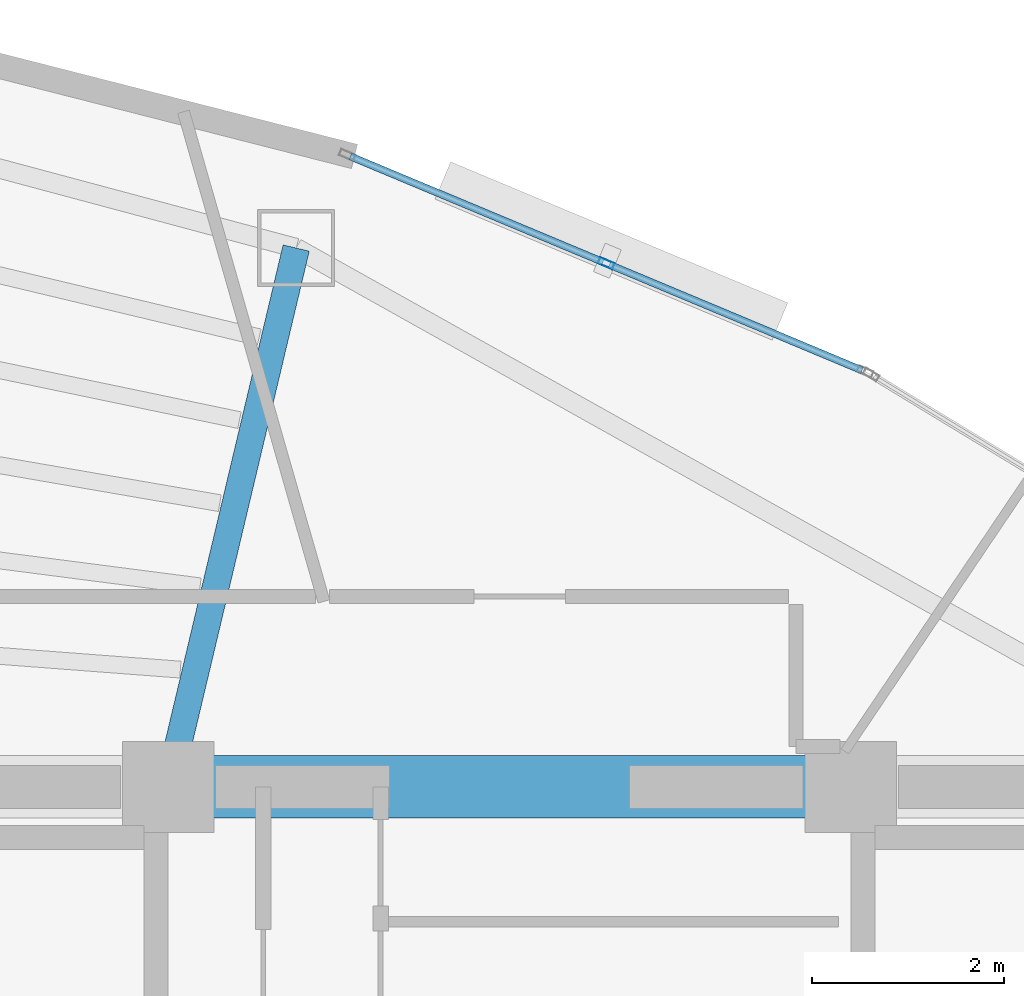
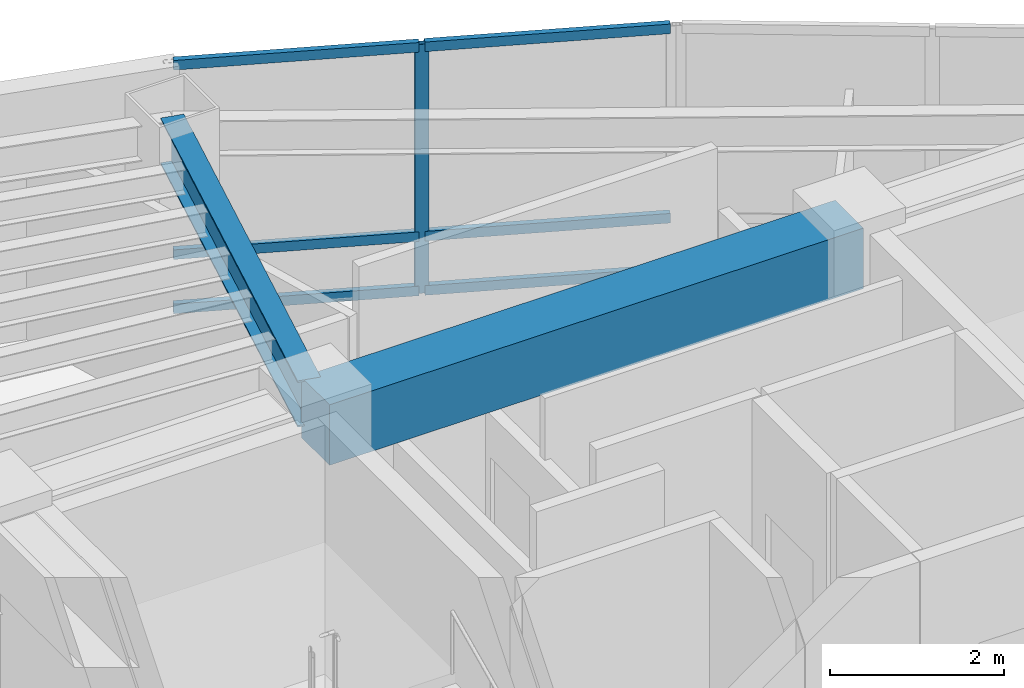
# One storey, part 8 of 15: 7 members, 2 beams, 1 element without a shape of its own.
"""IFC4 building model written with IfcOpenShell, lengths in metres."""

from ifc_helpers import new_model, si_unit, direction, frame, origin, origin_2d, place, context, subcontext, project, spatial, rectangle, hollow_rectangle, i_section, extrude, material, layer, layer_set, material_profile, profile_set, type_object, element, aggregate, save


model = new_model("IFC4")

# Units and contexts
model_context = context("Model", 3, precision=1e-05, world=origin(), true_north=direction((0.0, 1.0)))
body_context = subcontext(model_context, "Body", "Model", "MODEL_VIEW")
ifc_project = project(units=[si_unit("LENGTHUNIT", "METRE"), si_unit("AREAUNIT", "SQUARE_METRE"), si_unit("VOLUMEUNIT", "CUBIC_METRE"), si_unit("PLANEANGLEUNIT", "RADIAN"), si_unit("MASSUNIT", "GRAM", prefix="KILO")], contexts=[model_context])

# Site, building, storey
site_placement = place(None, origin())
site = spatial("IfcSite", under=ifc_project, at=site_placement, CompositionType="ELEMENT")
building_placement = place(site_placement, origin())
building = spatial("IfcBuilding", under=site, at=building_placement, Name="Menara Vayukalpa", CompositionType="ELEMENT")
storey_placement = place(building_placement, frame((0.0, 0.0, 288.06005859375)))
storey = spatial("IfcBuildingStorey", under=building, at=storey_placement, Name="L73", CompositionType="ELEMENT", Elevation=288.06005859375)

# Beams
ifc_material_1 = material(Name="Concrete C60/75", Category="concrete")
ifc_material_profile_1 = material_profile(ifc_material_1, rectangle(XDim=0.64990234375, YDim=0.85009765625, at=origin_2d()), Name="RC 650x850")
ifc_profile_set_1 = profile_set([ifc_material_profile_1], Name="Concrete C60/75")
beam_type_1 = type_object("IfcBeamType", Name="BM-CB1", PredefinedType="BEAM", material=ifc_profile_set_1)
beam_1_placement = place(storey_placement, frame((22.050048828125, 26.800048828125, 3.074951171875), z_axis=(1.0, 0.0, 0.0), x_axis=(0.0, 1.0, 0.0)))
element("IfcBeam", 1, at=beam_1_placement, inside=storey, type_object=beam_type_1, Name="L73 Core Tie Beam CBR5", PredefinedType="BEAM", context=body_context, shape_type="SweptSolid", body=[
    extrude(rectangle(XDim=0.64990234375, YDim=0.85009765625, at=origin_2d()), origin(), (0.0, 0.0, 1.0), 7.099853515625),
])
ifc_material_2 = material(Name="Steel S355", Category="steel")
ifc_material_profile_2 = material_profile(ifc_material_2, i_section(OverallWidth=0.280029296875, OverallDepth=0.64990234375, WebThickness=0.012939453125, FlangeThickness=0.02197265625, at=origin_2d()), Name="WF 650x280x13x22")
ifc_profile_set_2 = profile_set([ifc_material_profile_2], Name="Steel S355")
beam_type_2 = type_object("IfcBeamType", Name="BM-PG6", PredefinedType="BEAM", material=ifc_profile_set_2)
beam_2_placement = place(storey_placement, frame((22.10791015625, 27.043212890625, 3.175048828125), z_axis=(0.231167310854, 0.972914011818, 0.0), x_axis=(-0.972914011818, 0.231167310854, 0.0)))
element("IfcBeam", 2, at=beam_2_placement, inside=storey, type_object=beam_type_2, Name="L73 Primary Radial Girder RG03", PredefinedType="BEAM", context=body_context, shape_type="SweptSolid", body=[
    extrude(i_section(OverallWidth=0.280029296875, OverallDepth=0.64990234375, WebThickness=0.012939453125, FlangeThickness=0.02197265625, at=origin_2d()), origin(), (0.0, 0.0, 1.0), 5.5107421875),
])

# Curtain wall, members
ifc_material_3 = material(Name="Anodised Terracotta Aluminium Alloy 6063-T6", Category="masonry")
ifc_layer = layer(ifc_material_3, 0.1650390625)
ifc_layer_set = layer_set([ifc_layer], Name="Anodised Terracotta Aluminium Alloy 6063-T6")
curtain_wall_type = type_object("IfcCurtainWallType", Name="CW-CW6", PredefinedType="USERDEFINED", material=ifc_layer_set)
curtain_wall_placement = place(storey_placement, origin())
curtain_wall = element("IfcCurtainWall", 3, at=curtain_wall_placement, inside=storey, type_object=curtain_wall_type, Name="L73 Observation and Executive Curtain Wall CW6 05", ObjectType="UNITISED", PredefinedType="USERDEFINED")
ifc_material_4 = material(Name="Anodised Terracotta Aluminium Alloy 6063-T6", Category="masonry")
ifc_material_profile_3 = material_profile(ifc_material_4, hollow_rectangle(XDim=0.070068359375, YDim=0.1650390625, WallThickness=0.00390625, at=origin_2d()), Name="ALU 70x165x4")
ifc_profile_set_3 = profile_set([ifc_material_profile_3], Name="Anodised Terracotta Aluminium Alloy 6063-T6")
member_type_1 = type_object("IfcMemberType", Name="CWM-CW6", PredefinedType="MULLION", material=ifc_profile_set_3)
member_1_placement = place(storey_placement, frame((26.60595703125, 32.2451171875, 0.0), z_axis=(0.0, 0.0, 1.0), x_axis=(-0.385899911703, -0.922540653927, 0.0)))
member_1 = element("IfcMember", 4, at=member_1_placement, type_object=member_type_1, Name="CW6 mullion 2", PredefinedType="MULLION", context=body_context, shape_type="SweptSolid", body=[
    extrude(hollow_rectangle(XDim=0.070068359375, YDim=0.1650390625, WallThickness=0.00390625, at=origin_2d()), origin(), (0.0, 0.0, 1.0), 3.5),
])
ifc_material_5 = material(Name="Anodised Terracotta Aluminium Alloy 6063-T6", Category="masonry")
ifc_material_profile_4 = material_profile(ifc_material_5, hollow_rectangle(XDim=0.074951171875, YDim=0.135009765625, WallThickness=0.00390625, at=origin_2d()), Name="ALU 75x135x4")
ifc_profile_set_4 = profile_set([ifc_material_profile_4], Name="Anodised Terracotta Aluminium Alloy 6063-T6")
member_type_2 = type_object("IfcMemberType", Name="CWT-CW6", PredefinedType="USERDEFINED", material=ifc_profile_set_4)
member_2_placement = place(storey_placement, frame((29.266357421875, 31.13232421875, 0.037353515625), z_axis=(-0.922528286758, 0.385929475592, 0.0), x_axis=(-0.385929475592, -0.922528286758, 0.0)))
member_2 = element("IfcMember", 5, at=member_2_placement, type_object=member_type_2, Name="CW6 transom 1.1", ObjectType="TRANSOM", PredefinedType="USERDEFINED", context=body_context, shape_type="SweptSolid", body=[
    extrude(hollow_rectangle(XDim=0.074951171875, YDim=0.135009765625, WallThickness=0.00390625, at=origin_2d()), origin(), (0.0, 0.0, 1.0), 2.8486328125),
])
member_3_placement = place(storey_placement, frame((29.266357421875, 31.13232421875, 0.800048828125), z_axis=(-0.922528286758, 0.385929475592, 0.0), x_axis=(-0.385929475592, -0.922528286758, 0.0)))
member_3 = element("IfcMember", 6, at=member_3_placement, type_object=member_type_2, Name="CW6 transom 1.2", ObjectType="TRANSOM", PredefinedType="USERDEFINED", context=body_context, shape_type="SweptSolid", body=[
    extrude(hollow_rectangle(XDim=0.074951171875, YDim=0.135009765625, WallThickness=0.00390625, at=origin_2d()), origin(), (0.0, 0.0, 1.0), 2.8486328125),
])
member_4_placement = place(storey_placement, frame((29.266357421875, 31.13232421875, 3.46240234375), z_axis=(-0.922528286758, 0.385929475592, 0.0), x_axis=(-0.385929475592, -0.922528286758, 0.0)))
member_4 = element("IfcMember", 7, at=member_4_placement, type_object=member_type_2, Name="CW6 transom 1.3", ObjectType="TRANSOM", PredefinedType="USERDEFINED", context=body_context, shape_type="SweptSolid", body=[
    extrude(hollow_rectangle(XDim=0.074951171875, YDim=0.135009765625, WallThickness=0.00390625, at=origin_2d()), origin(), (0.0, 0.0, 1.0), 2.8486328125),
])
member_5_placement = place(storey_placement, frame((26.57373046875, 32.258544921875, 0.037353515625), z_axis=(-0.922541050276, 0.38589896418, 0.0), x_axis=(-0.38589896418, -0.922541050276, 0.0)))
member_5 = element("IfcMember", 8, at=member_5_placement, type_object=member_type_2, Name="CW6 transom 2.1", ObjectType="TRANSOM", PredefinedType="USERDEFINED", context=body_context, shape_type="SweptSolid", body=[
    extrude(hollow_rectangle(XDim=0.074951171875, YDim=0.135009765625, WallThickness=0.00390625, at=origin_2d()), origin(), (0.0, 0.0, 1.0), 2.848876953125),
])
member_6_placement = place(storey_placement, frame((26.57373046875, 32.258544921875, 0.800048828125), z_axis=(-0.922541050276, 0.38589896418, 0.0), x_axis=(-0.38589896418, -0.922541050276, 0.0)))
member_6 = element("IfcMember", 9, at=member_6_placement, type_object=member_type_2, Name="CW6 transom 2.2", ObjectType="TRANSOM", PredefinedType="USERDEFINED", context=body_context, shape_type="SweptSolid", body=[
    extrude(hollow_rectangle(XDim=0.074951171875, YDim=0.135009765625, WallThickness=0.00390625, at=origin_2d()), origin(), (0.0, 0.0, 1.0), 2.848876953125),
])
member_7_placement = place(storey_placement, frame((26.57373046875, 32.258544921875, 3.46240234375), z_axis=(-0.922541050276, 0.38589896418, 0.0), x_axis=(-0.38589896418, -0.922541050276, 0.0)))
member_7 = element("IfcMember", 10, at=member_7_placement, type_object=member_type_2, Name="CW6 transom 2.3", ObjectType="TRANSOM", PredefinedType="USERDEFINED", context=body_context, shape_type="SweptSolid", body=[
    extrude(hollow_rectangle(XDim=0.074951171875, YDim=0.135009765625, WallThickness=0.00390625, at=origin_2d()), origin(), (0.0, 0.0, 1.0), 2.848876953125),
])
aggregate(curtain_wall, [member_1, member_2, member_3, member_4, member_5, member_6, member_7])

save(model, "model.ifc")
